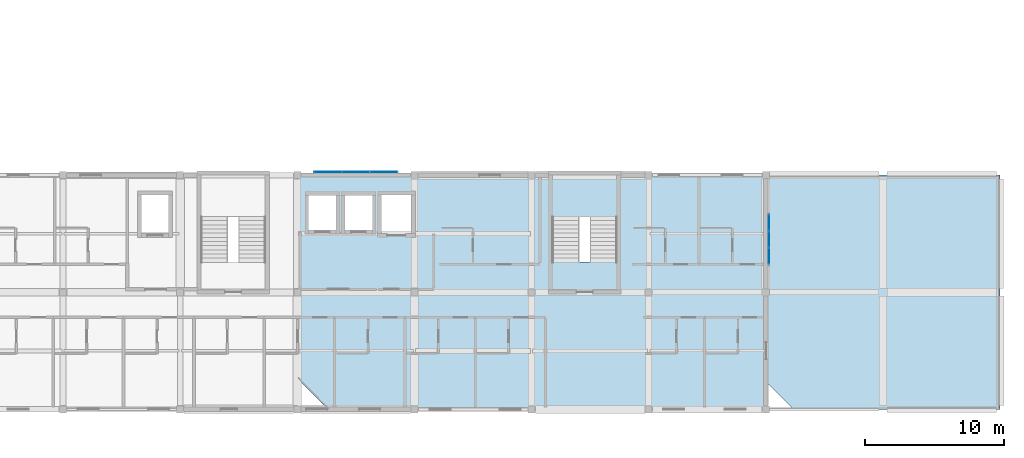
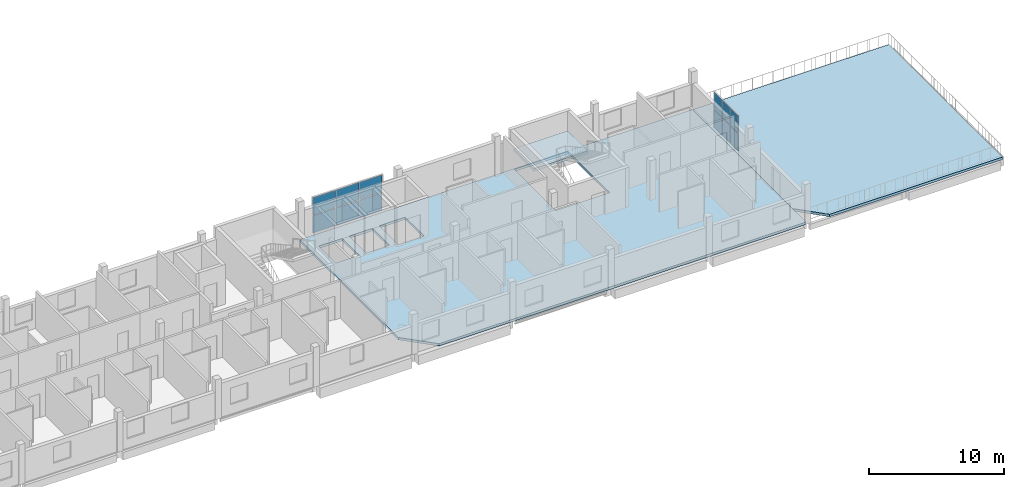
# One storey, part 8 of 20: 12 plates, 3 slabs, 3 elements without a shape of their own.
"""IFC4 building model written with IfcOpenShell, lengths in metres."""

from ifc_helpers import new_model, si_unit, derived_unit, direction, frame, origin, origin_2d, place, context, subcontext, project, spatial, polyline, rectangle, outline, extrude, material, layer, layer_set, type_object, element, aggregate, save


model = new_model("IFC4")

# Units and contexts
model_context = context("Model", 3, precision=1e-05, world=origin(), true_north=direction((0.0, 1.0)))
body_context = subcontext(model_context, "Body", "Model", "MODEL_VIEW")
ifc_project = project(units=[si_unit("LENGTHUNIT", "METRE"), si_unit("AREAUNIT", "SQUARE_METRE"), si_unit("VOLUMEUNIT", "CUBIC_METRE"), si_unit("PLANEANGLEUNIT", "RADIAN"), si_unit("MASSUNIT", "GRAM", prefix="KILO"), derived_unit("THERMALTRANSMITTANCEUNIT", [(si_unit("POWERUNIT", "WATT"), 1), (si_unit("LENGTHUNIT", "METRE"), -2), (si_unit("THERMODYNAMICTEMPERATUREUNIT", "KELVIN"), -1)])], contexts=[model_context])

# Site, building, storey
site_placement = place(None, origin())
site = spatial("IfcSite", under=ifc_project, at=site_placement, CompositionType="ELEMENT")
building_placement = place(site_placement, origin())
building = spatial("IfcBuilding", under=site, at=building_placement, Name="Barrovel Congress Hotel", CompositionType="ELEMENT")
storey_placement = place(building_placement, frame((0.0, 0.0, 39.89990234375)))
storey = spatial("IfcBuildingStorey", under=building, at=storey_placement, Name="L10", CompositionType="ELEMENT", Elevation=39.89990234375)

# Curtain wall, plates
ifc_material_1 = material(Name="Anodised Aluminium Alloy 6063-T6", Category="aluminium")
curtain_wall_type_1 = type_object("IfcCurtainWallType", Name="CW-UN-6000x3200", PredefinedType="USERDEFINED", material=ifc_material_1)
curtain_wall_1_placement = place(storey_placement, origin())
curtain_wall_1 = element("IfcCurtainWall", 1, at=curtain_wall_1_placement, inside=storey, type_object=curtain_wall_type_1, Name="CW:L10:UN-4", ObjectType="UNITISED CURTAIN WALL", PredefinedType="USERDEFINED")
ifc_material_2 = material(Name="Double Low-E Insulated Glazing", Category="glass")
ifc_layer_1 = layer(ifc_material_2, 0.028076171875)
ifc_layer_set_1 = layer_set([ifc_layer_1], Name="Double Low-E Insulated Glazing")
plate_type_1 = type_object("IfcPlateType", Name="CWP-28", PredefinedType="CURTAIN_PANEL", material=ifc_layer_set_1)
plate_1_placement = place(storey_placement, frame((86.199951171875, 21.219970703125, 0.030029296875), z_axis=(0.0, 0.0, 1.0), x_axis=(1.0, 0.0, 0.0)))
plate_1 = element("IfcPlate", 2, at=plate_1_placement, type_object=plate_type_1, Name="CW:L10:UN-4:P0-0", PredefinedType="CURTAIN_PANEL", context=body_context, shape_type="SweptSolid", body=[
    extrude(rectangle(XDim=1.93994140625, YDim=0.028076171875, at=origin_2d()), origin(), (0.0, 0.0, 1.0), 1.56494140625),
])
plate_2_placement = place(storey_placement, frame((86.199951171875, 21.219970703125, 1.655029296875), z_axis=(0.0, 0.0, 1.0), x_axis=(1.0, 0.0, 0.0)))
plate_2 = element("IfcPlate", 3, at=plate_2_placement, type_object=plate_type_1, Name="CW:L10:UN-4:P0-1", PredefinedType="CURTAIN_PANEL", context=body_context, shape_type="SweptSolid", body=[
    extrude(rectangle(XDim=1.93994140625, YDim=0.028076171875, at=origin_2d()), origin(), (0.0, 0.0, 1.0), 1.56494140625),
])
plate_3_placement = place(storey_placement, frame((88.199951171875, 21.219970703125, 0.030029296875), z_axis=(0.0, 0.0, 1.0), x_axis=(1.0, 0.0, 0.0)))
plate_3 = element("IfcPlate", 4, at=plate_3_placement, type_object=plate_type_1, Name="CW:L10:UN-4:P1-0", PredefinedType="CURTAIN_PANEL", context=body_context, shape_type="SweptSolid", body=[
    extrude(rectangle(XDim=1.93994140625, YDim=0.028076171875, at=origin_2d()), origin(), (0.0, 0.0, 1.0), 1.56494140625),
])
plate_4_placement = place(storey_placement, frame((88.199951171875, 21.219970703125, 1.655029296875), z_axis=(0.0, 0.0, 1.0), x_axis=(1.0, 0.0, 0.0)))
plate_4 = element("IfcPlate", 5, at=plate_4_placement, type_object=plate_type_1, Name="CW:L10:UN-4:P1-1", PredefinedType="CURTAIN_PANEL", context=body_context, shape_type="SweptSolid", body=[
    extrude(rectangle(XDim=1.93994140625, YDim=0.028076171875, at=origin_2d()), origin(), (0.0, 0.0, 1.0), 1.56494140625),
])
plate_5_placement = place(storey_placement, frame((90.199951171875, 21.219970703125, 0.030029296875), z_axis=(0.0, 0.0, 1.0), x_axis=(1.0, 0.0, 0.0)))
plate_5 = element("IfcPlate", 6, at=plate_5_placement, type_object=plate_type_1, Name="CW:L10:UN-4:P2-0", PredefinedType="CURTAIN_PANEL", context=body_context, shape_type="SweptSolid", body=[
    extrude(rectangle(XDim=1.93994140625, YDim=0.028076171875, at=origin_2d()), origin(), (0.0, 0.0, 1.0), 1.56494140625),
])
plate_6_placement = place(storey_placement, frame((90.199951171875, 21.219970703125, 1.655029296875), z_axis=(0.0, 0.0, 1.0), x_axis=(1.0, 0.0, 0.0)))
plate_6 = element("IfcPlate", 7, at=plate_6_placement, type_object=plate_type_1, Name="CW:L10:UN-4:P2-1", PredefinedType="CURTAIN_PANEL", context=body_context, shape_type="SweptSolid", body=[
    extrude(rectangle(XDim=1.93994140625, YDim=0.028076171875, at=origin_2d()), origin(), (0.0, 0.0, 1.0), 1.56494140625),
])
aggregate(curtain_wall_1, [plate_1, plate_2, plate_3, plate_4, plate_5, plate_6])

curtain_wall_type_2 = type_object("IfcCurtainWallType", Name="CW-UN-3600x3200", PredefinedType="USERDEFINED", material=ifc_material_1)
curtain_wall_2_placement = place(storey_placement, origin())
curtain_wall_2 = element("IfcCurtainWall", 8, at=curtain_wall_2_placement, inside=storey, type_object=curtain_wall_type_2, Name="CW:L10:UN-1", ObjectType="UNITISED CURTAIN WALL", PredefinedType="USERDEFINED")
ifc_layer_2 = layer(ifc_material_2, 0.031982421875)
ifc_layer_set_2 = layer_set([ifc_layer_2], Name="Double Low-E Insulated Glazing")
plate_type_2 = type_object("IfcPlateType", Name="CWP-32", PredefinedType="CURTAIN_PANEL", material=ifc_layer_set_2)
plate_7_placement = place(storey_placement, frame((117.820068359375, 15.199951171875, 0.030029296875), z_axis=(0.0, 0.0, 1.0), x_axis=(0.0, 1.0, 0.0)))
plate_7 = element("IfcPlate", 9, at=plate_7_placement, type_object=plate_type_2, Name="CW:L10:UN-1:P0-0", PredefinedType="CURTAIN_PANEL", context=body_context, shape_type="SweptSolid", body=[
    extrude(rectangle(XDim=1.139892578125, YDim=0.031982421875, at=origin_2d()), origin(), (0.0, 0.0, 1.0), 1.56494140625),
])
plate_8_placement = place(storey_placement, frame((117.820068359375, 15.199951171875, 1.655029296875), z_axis=(0.0, 0.0, 1.0), x_axis=(0.0, 1.0, 0.0)))
plate_8 = element("IfcPlate", 10, at=plate_8_placement, type_object=plate_type_2, Name="CW:L10:UN-1:P0-1", PredefinedType="CURTAIN_PANEL", context=body_context, shape_type="SweptSolid", body=[
    extrude(rectangle(XDim=1.139892578125, YDim=0.031982421875, at=origin_2d()), origin(), (0.0, 0.0, 1.0), 1.56494140625),
])
plate_9_placement = place(storey_placement, frame((117.820068359375, 16.39990234375, 0.030029296875), z_axis=(0.0, 0.0, 1.0), x_axis=(0.0, 1.0, 0.0)))
plate_9 = element("IfcPlate", 11, at=plate_9_placement, type_object=plate_type_2, Name="CW:L10:UN-1:P1-0", PredefinedType="CURTAIN_PANEL", context=body_context, shape_type="SweptSolid", body=[
    extrude(rectangle(XDim=1.139892578125, YDim=0.031982421875, at=origin_2d()), origin(), (0.0, 0.0, 1.0), 1.56494140625),
])
plate_10_placement = place(storey_placement, frame((117.820068359375, 16.39990234375, 1.655029296875), z_axis=(0.0, 0.0, 1.0), x_axis=(0.0, 1.0, 0.0)))
plate_10 = element("IfcPlate", 12, at=plate_10_placement, type_object=plate_type_2, Name="CW:L10:UN-1:P1-1", PredefinedType="CURTAIN_PANEL", context=body_context, shape_type="SweptSolid", body=[
    extrude(rectangle(XDim=1.139892578125, YDim=0.031982421875, at=origin_2d()), origin(), (0.0, 0.0, 1.0), 1.56494140625),
])
plate_11_placement = place(storey_placement, frame((117.820068359375, 17.60009765625, 0.030029296875), z_axis=(0.0, 0.0, 1.0), x_axis=(0.0, 1.0, 0.0)))
plate_11 = element("IfcPlate", 13, at=plate_11_placement, type_object=plate_type_2, Name="CW:L10:UN-1:P2-0", PredefinedType="CURTAIN_PANEL", context=body_context, shape_type="SweptSolid", body=[
    extrude(rectangle(XDim=1.139892578125, YDim=0.031982421875, at=origin_2d()), origin(), (0.0, 0.0, 1.0), 1.56494140625),
])
plate_12_placement = place(storey_placement, frame((117.820068359375, 17.60009765625, 1.655029296875), z_axis=(0.0, 0.0, 1.0), x_axis=(0.0, 1.0, 0.0)))
plate_12 = element("IfcPlate", 14, at=plate_12_placement, type_object=plate_type_2, Name="CW:L10:UN-1:P2-1", PredefinedType="CURTAIN_PANEL", context=body_context, shape_type="SweptSolid", body=[
    extrude(rectangle(XDim=1.139892578125, YDim=0.031982421875, at=origin_2d()), origin(), (0.0, 0.0, 1.0), 1.56494140625),
])
aggregate(curtain_wall_2, [plate_7, plate_8, plate_9, plate_10, plate_11, plate_12])

# Slabs
ifc_material_3 = material(Name="Concrete C35", Category="concrete")
ifc_layer_3 = layer(ifc_material_3, 0.219970703125)
ifc_layer_set_3 = layer_set([ifc_layer_3], Name="Concrete C35")
slab_type_1 = type_object("IfcSlabType", Name="SL-F220", PredefinedType="FLOOR", material=ifc_layer_set_3)
slab_1_placement = place(storey_placement, frame((0.0, 0.0, -0.219970703125)))
element("IfcSlab", 15, at=slab_1_placement, inside=storey, type_object=slab_type_1, Name="SLAB:L10:HOT-S2", PredefinedType="FLOOR", context=body_context, shape_type="SweptSolid", body=[
    extrude(outline(polyline([(86.199951171875, 4.199951171875), (117.60009765625, 4.199951171875), (117.60009765625, 21.0), (84.0, 21.0), (84.0, 6.39990234375), (86.199951171875, 4.199951171875)]), holes=[polyline([(102.300048828125, 14.780029296875), (102.300048828125, 20.919921875), (106.89990234375, 20.919921875), (106.89990234375, 14.780029296875), (102.300048828125, 14.780029296875)]), polyline([(84.800048828125, 17.050048828125), (84.800048828125, 19.550048828125), (86.800048828125, 19.550048828125), (86.800048828125, 17.050048828125), (84.800048828125, 17.050048828125)]), polyline([(87.39990234375, 17.050048828125), (87.39990234375, 19.550048828125), (89.39990234375, 19.550048828125), (89.39990234375, 17.050048828125), (87.39990234375, 17.050048828125)]), polyline([(90.0, 16.800048828125), (90.0, 19.60009765625), (92.199951171875, 19.60009765625), (92.199951171875, 16.800048828125), (90.0, 16.800048828125)])]), origin(), (0.0, 0.0, 1.0), 0.219970703125),
])
slab_2_placement = place(storey_placement, frame((0.0, 0.0, -0.219970703125)))
element("IfcSlab", 16, at=slab_2_placement, inside=storey, type_object=slab_type_1, Name="SLAB:L10:TERR-E", PredefinedType="FLOOR", context=body_context, shape_type="SweptSolid", body=[
    extrude(outline(polyline([(119.60009765625, 4.199951171875), (134.39990234375, 4.199951171875), (134.39990234375, 21.0), (117.60009765625, 21.0), (117.60009765625, 6.199951171875), (119.60009765625, 4.199951171875)])), origin(), (0.0, 0.0, 1.0), 0.219970703125),
])

# Stair, slab
ifc_material_4 = material(Name="Concrete C40", Category="concrete")
stair_type = type_object("IfcStairType", Name="STR-HT-360", PredefinedType="HALF_TURN_STAIR", material=ifc_material_4)
stair_placement = place(storey_placement, origin())
stair = element("IfcStair", 17, at=stair_placement, inside=storey, type_object=stair_type, Name="Exit Stair XS-03 (L10)", PredefinedType="HALF_TURN_STAIR")
ifc_layer_4 = layer(ifc_material_4, 0.22998046875)
ifc_layer_set_4 = layer_set([ifc_layer_4], Name="Concrete C40")
slab_type_2 = type_object("IfcSlabType", Name="SL-LDG-230", PredefinedType="LANDING", material=ifc_layer_set_4)
slab_3_placement = place(storey_placement, frame((0.0, 0.0, 1.570068359375)))
slab_3 = element("IfcSlab", 18, at=slab_3_placement, type_object=slab_type_2, Name="STAIR:XS-03:L10:LDG", PredefinedType="LANDING", context=body_context, shape_type="SweptSolid", body=[
    extrude(outline(polyline([(102.280029296875, 18.010009765625), (106.919921875, 18.010009765625), (106.919921875, 21.02001953125), (102.280029296875, 21.02001953125), (102.280029296875, 18.010009765625)])), origin(), (0.0, 0.0, 1.0), 0.22998046875),
])
aggregate(stair, [slab_3])

save(model, "model.ifc")
